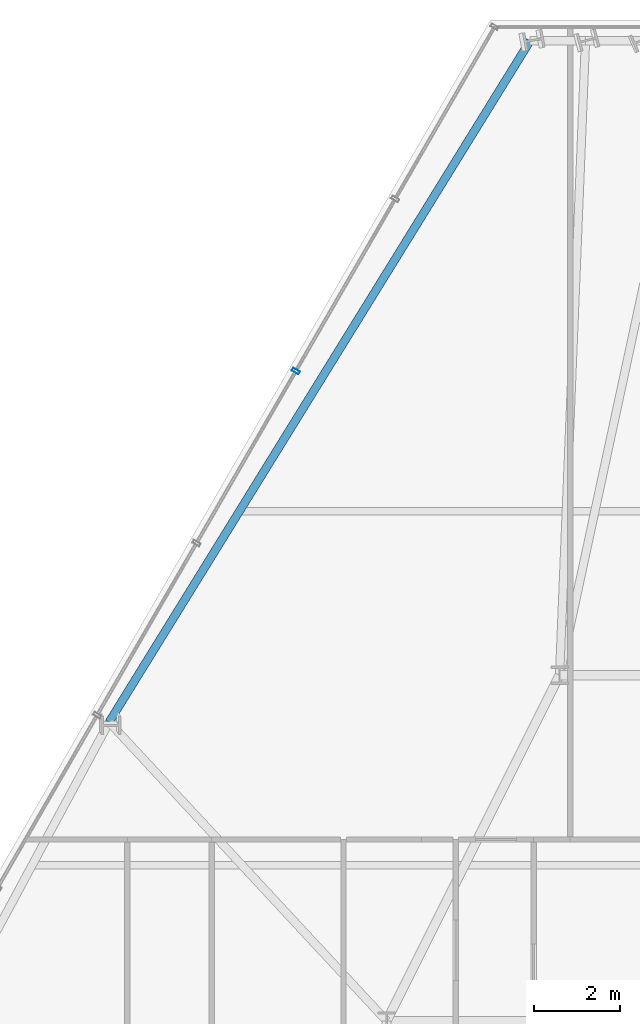
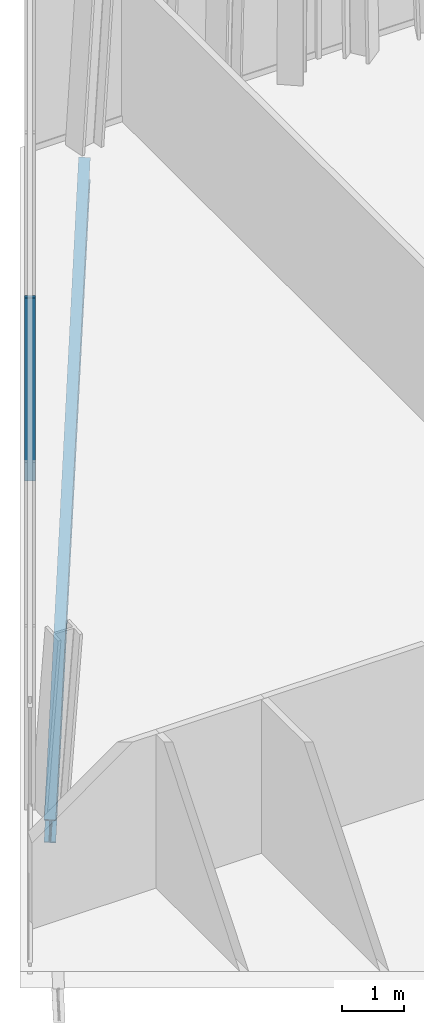
# One storey, part 21 of 33: 1 beam, 1 member, 1 element without a shape of its own.
"""IFC4 building model written with IfcOpenShell, lengths in metres."""

from ifc_helpers import new_model, si_unit, direction, frame, origin, origin_2d, place, context, subcontext, project, spatial, hollow_rectangle, i_section, extrude, material, layer, layer_set, material_profile, profile_set, type_object, element, aggregate, save


model = new_model("IFC4")

# Units and contexts
model_context = context("Model", 3, precision=1e-05, world=origin(), true_north=direction((0.0, 1.0)))
body_context = subcontext(model_context, "Body", "Model", "MODEL_VIEW")
ifc_project = project(units=[si_unit("LENGTHUNIT", "METRE"), si_unit("AREAUNIT", "SQUARE_METRE"), si_unit("VOLUMEUNIT", "CUBIC_METRE"), si_unit("PLANEANGLEUNIT", "RADIAN"), si_unit("MASSUNIT", "GRAM", prefix="KILO")], contexts=[model_context])

# Site, building, storey
site_placement = place(None, origin())
site = spatial("IfcSite", under=ifc_project, at=site_placement, CompositionType="ELEMENT")
building_placement = place(site_placement, origin())
building = spatial("IfcBuilding", under=site, at=building_placement, Name="Ndaravel Arena Tower", CompositionType="ELEMENT")
storey_placement = place(building_placement, frame((0.0, 0.0, 168.800048828125)))
storey = spatial("IfcBuildingStorey", under=building, at=storey_placement, Name="L40", CompositionType="ELEMENT", Elevation=168.800048828125)

# Beam
ifc_material_1 = material(Name="Steel S355", Category="steel")
ifc_material_profile_1 = material_profile(ifc_material_1, i_section(OverallWidth=0.18994140625, OverallDepth=0.449951171875, WebThickness=0.009521484375, FlangeThickness=0.0146484375, FilletRadius=0.02099609375, at=origin_2d()), Name="IPE 450")
ifc_profile_set_1 = profile_set([ifc_material_profile_1], Name="Steel S355")
beam_type = type_object("IfcBeamType", Name="BM-SPAN-IPE450", PredefinedType="SPANDREL", material=ifc_profile_set_1)
beam_placement = place(storey_placement, frame((37.519775390625, 45.881591796875, -0.445068359375), z_axis=(-0.525677399695, -0.850684002112, 0.0), x_axis=(0.850684002112, -0.525677399695, 0.0)))
element("IfcBeam", 1, at=beam_placement, inside=storey, type_object=beam_type, Name="L40 Perimeter Spandrel Beam SP-18", PredefinedType="SPANDREL", context=body_context, shape_type="SweptSolid", body=[
    extrude(i_section(OverallWidth=0.18994140625, OverallDepth=0.449951171875, WebThickness=0.009521484375, FlangeThickness=0.0146484375, FilletRadius=0.02099609375, at=origin_2d()), origin(), (0.0, 0.0, 1.0), 18.533935546875),
])

# Curtain wall, member
ifc_material_2 = material(Name="Aluminium", Category="aluminium")
ifc_layer = layer(ifc_material_2, 0.179931640625)
ifc_layer_set = layer_set([ifc_layer], Name="Aluminium")
curtain_wall_type = type_object("IfcCurtainWallType", Name="CW-SYS-03", PredefinedType="NOTDEFINED", material=ifc_layer_set)
curtain_wall_placement = place(storey_placement, origin())
curtain_wall = element("IfcCurtainWall", 2, at=curtain_wall_placement, inside=storey, type_object=curtain_wall_type, Name="L40 Faceted Crystal Curtain Wall CW-L40-E05", PredefinedType="NOTDEFINED")
ifc_material_3 = material(Name="Aluminium", Category="aluminium")
ifc_material_profile_2 = material_profile(ifc_material_3, hollow_rectangle(XDim=0.074951171875, YDim=0.179931640625, WallThickness=0.00390625, at=origin_2d()), Name="CW MULLION 75x180x4")
ifc_profile_set_2 = profile_set([ifc_material_profile_2], Name="Aluminium")
member_type = type_object("IfcMemberType", Name="MEM-CW-MUL180", PredefinedType="MULLION", material=ifc_profile_set_2)
member_placement = place(storey_placement, frame((32.097412109375, 38.23828125, 0.0), z_axis=(0.0, 0.0, 1.0), x_axis=(-0.5, -0.866025403784, 0.0)))
member = element("IfcMember", 3, at=member_placement, type_object=member_type, Name="CW-L40-E05 Mullion 02", PredefinedType="MULLION", context=body_context, shape_type="SweptSolid", body=[
    extrude(hollow_rectangle(XDim=0.074951171875, YDim=0.179931640625, WallThickness=0.00390625, at=origin_2d()), origin(), (0.0, 0.0, 1.0), 3.579833984375),
])
aggregate(curtain_wall, [member])

save(model, "model.ifc")
